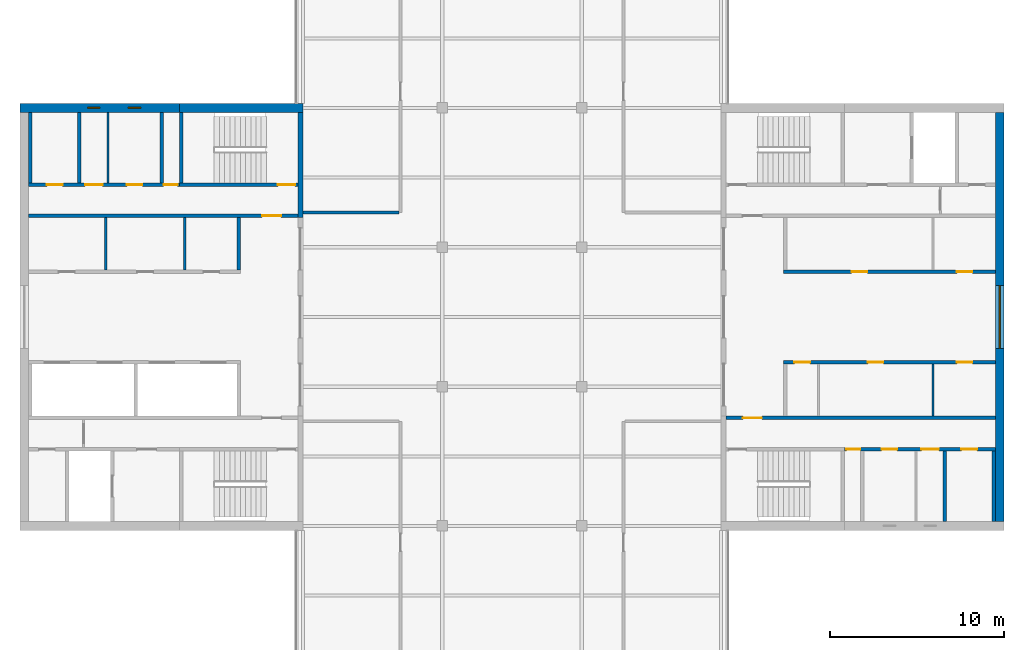
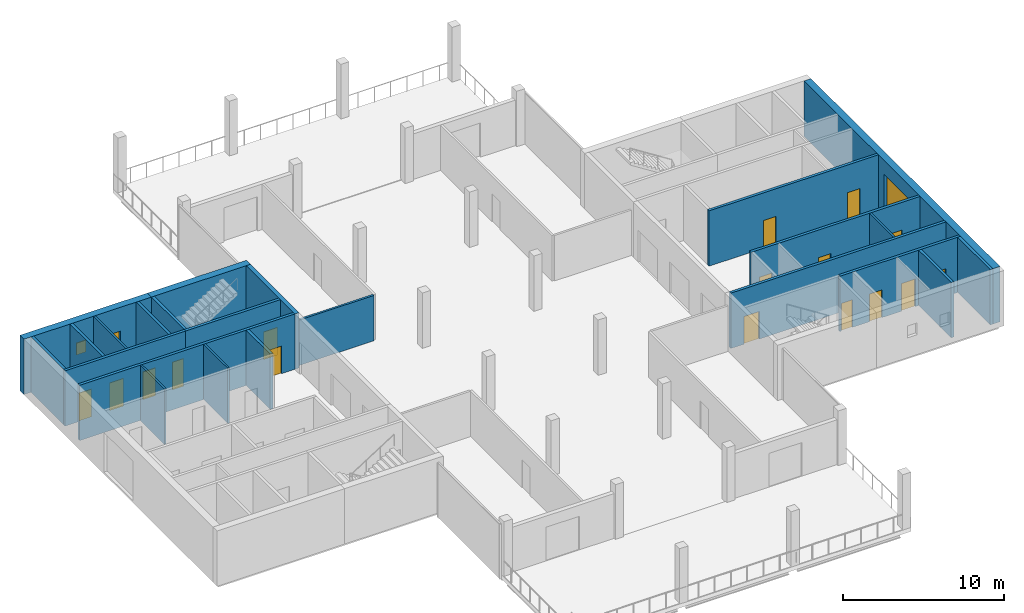
# One storey, part 9 of 12: 23 walls, 16 doors, 3 windows, 19 openings.
"""IFC4 building model written with IfcOpenShell, lengths in metres."""

import ifcopenshell
import ifcopenshell.guid

model = None  # the IFC model being written
_history = None  # IfcOwnerHistory: only IFC2X3 demands one
_inside = {}  # id of a spatial element -> (the spatial element, [elements in it])
_under = {}  # id of a project, library or spatial element -> (it, [spatial elements below it])
_declared = {}  # id of a project -> (the project, [libraries it declares])
_typed = {}  # id of a type object -> (the type object, [elements of that type])
_made_of = {}  # id of a material, layer set ... -> (it, [elements and type objects made of it])


def new_model(schema):
    """Start an empty IFC model of exactly this schema.

    Asked for "IFC4X3", IfcOpenShell would pick the latest addendum, in which some entities
    have other attributes; the version numbers below select the first issue.
    IFC2X3 requires an IfcOwnerHistory on every rooted entity: one is made here for all.
    """
    global model, _history
    if schema == "IFC4X3":
        model = ifcopenshell.file(schema_version=(4, 3, 0, 0))
    else:
        model = ifcopenshell.file(schema=schema)
    _inside.clear()
    _under.clear()
    _declared.clear()
    _typed.clear()
    _made_of.clear()
    _history = None
    if model.schema == "IFC2X3":
        org = make("IfcOrganization", Name="unknown")
        user = make(
            "IfcPersonAndOrganization",
            ThePerson=make("IfcPerson", FamilyName="unknown"),
            TheOrganization=org,
        )
        app = make(
            "IfcApplication",
            ApplicationDeveloper=org,
            Version="unknown",
            ApplicationFullName="unknown",
            ApplicationIdentifier="unknown",
        )
        _history = make(
            "IfcOwnerHistory",
            OwningUser=user,
            OwningApplication=app,
            ChangeAction="ADDED",
            CreationDate=0,
        )
    return model


def make(cls, **values):
    """One entity of the class cls with the attributes given. An attribute that is None is left unset."""
    return model.create_entity(
        cls, **{name: value for name, value in values.items() if value is not None}
    )


def rooted(cls, **values):
    """An entity with a GlobalId (a new one), such as an element, a storey or a relation."""
    return make(cls, GlobalId=ifcopenshell.guid.new(), OwnerHistory=_history, **values)


def si_unit(unit_type, name, prefix=None):
    """IfcSIUnit, for example si_unit("LENGTHUNIT", "METRE", prefix="MILLI")."""
    return make("IfcSIUnit", UnitType=unit_type, Prefix=prefix, Name=name)


def assignment(units):
    """IfcUnitAssignment: the units of a project."""
    return None if units is None else make("IfcUnitAssignment", Units=units)


def point(xyz):
    """IfcCartesianPoint."""
    return None if xyz is None else make("IfcCartesianPoint", Coordinates=xyz)


def direction(xyz):
    """IfcDirection."""
    return None if xyz is None else make("IfcDirection", DirectionRatios=xyz)


def frame(location, z_axis=None, x_axis=None):
    """IfcAxis2Placement3D, a coordinate frame: its origin and axes. An axis left out is left unset."""
    return make(
        "IfcAxis2Placement3D",
        Location=point(location),
        Axis=direction(z_axis),
        RefDirection=direction(x_axis),
    )


def frame_2d(location, x_axis=None):
    """IfcAxis2Placement2D, a coordinate frame in the plane: its origin and x axis."""
    return make(
        "IfcAxis2Placement2D", Location=point(location), RefDirection=direction(x_axis)
    )


def origin():
    """The frame at (0, 0, 0) with its axes left unset."""
    return frame((0.0, 0.0, 0.0))


def place(relative_to, where):
    """IfcLocalPlacement: puts the frame where relative to a parent placement (None: the world)."""
    return make(
        "IfcLocalPlacement", PlacementRelTo=relative_to, RelativePlacement=where
    )


def context(
    kind, dimensions, precision=None, world=None, true_north=None, identifier=None
):
    """IfcGeometricRepresentationContext, for example the 3D "Model" context."""
    return make(
        "IfcGeometricRepresentationContext",
        ContextIdentifier=identifier,
        ContextType=kind,
        CoordinateSpaceDimension=dimensions,
        Precision=precision,
        WorldCoordinateSystem=world,
        TrueNorth=true_north,
    )


def subcontext(parent, identifier, kind, view, scale=None):
    """IfcGeometricRepresentationSubContext, for example "Body" below "Model"."""
    return make(
        "IfcGeometricRepresentationSubContext",
        ContextIdentifier=identifier,
        ContextType=kind,
        ParentContext=parent,
        TargetScale=scale,
        TargetView=view,
    )


def project(units=None, contexts=None):
    """IfcProject with its units and contexts."""
    return rooted(
        "IfcProject",
        Name="project",
        RepresentationContexts=contexts,
        UnitsInContext=assignment(units),
    )


def spatial(cls, under=None, at=None, **own):
    """A site, building, storey or space (cls), placed at a placement, below another one or the project."""
    s = rooted(cls, ObjectPlacement=at, **own)
    if under is not None:
        _under.setdefault(under.id(), (under, []))[1].append(s)
    return s


def profile(cls, at=None, kind="AREA", **sizes):
    """A parametric profile (cls). Its sizes go by their IFC names, for example OverallWidth=200.0."""
    return make(cls, ProfileType=kind, Position=at, **sizes)


def rectangle(**sizes):
    """IfcRectangleProfileDef."""
    return profile("IfcRectangleProfileDef", **sizes)


def extrude(swept, where, along, depth):
    """IfcExtrudedAreaSolid: the profile swept, set in the frame where, extruded along a direction by depth."""
    return make(
        "IfcExtrudedAreaSolid",
        SweptArea=swept,
        Position=where,
        ExtrudedDirection=direction(along),
        Depth=depth,
    )


def shape(context_of_items, identifier, shape_type, items):
    """IfcShapeRepresentation: the items that make up one representation, for example the "Body"."""
    return make(
        "IfcShapeRepresentation",
        ContextOfItems=context_of_items,
        RepresentationIdentifier=identifier,
        RepresentationType=shape_type,
        Items=items,
    )


def material(Name=None, Category=None):
    """IfcMaterial."""
    return make("IfcMaterial", Name=Name, Category=Category)


def layer(
    of_material, thickness, ventilated=None, Name=None, Category=None, Priority=None
):
    """IfcMaterialLayer: one layer of a wall or slab, of a material (None: an air gap)."""
    return make(
        "IfcMaterialLayer",
        Material=of_material,
        LayerThickness=thickness,
        IsVentilated=ventilated,
        Name=Name,
        Category=Category,
        Priority=Priority,
    )


def layer_set(layers, Name=None):
    """IfcMaterialLayerSet."""
    return make("IfcMaterialLayerSet", MaterialLayers=layers, LayerSetName=Name)


def constituent(of_material, Name=None, Category=None, fraction=None):
    """IfcMaterialConstituent: one of the materials an element consists of."""
    return make(
        "IfcMaterialConstituent",
        Name=Name,
        Material=of_material,
        Fraction=fraction,
        Category=Category,
    )


def constituent_set(constituents=None, Name=None):
    """IfcMaterialConstituentSet."""
    return make(
        "IfcMaterialConstituentSet", Name=Name, MaterialConstituents=constituents
    )


def made_of(thing, what):
    """Note that an element or type object is made of a material, layer set ...; save() writes the relation."""
    if what is not None:
        _made_of.setdefault(what.id(), (what, []))[1].append(thing)
    return thing


def type_object(cls, material=None, **own):
    """A type object (cls), such as IfcWallType, which elements share."""
    return made_of(rooted(cls, **own), material)


def element(
    cls,
    number,
    at=None,
    inside=None,
    cuts=None,
    type_object=None,
    material=None,
    context=None,
    identifier="Body",
    shape_type=None,
    held_by="IfcProductDefinitionShape",
    body=None,
    shapes=None,
    **own,
):
    """One element of the class cls, such as IfcWall. Its Tag is "e" and its number.

    at: its placement. inside: the storey or other place that contains it. cuts: it is an
    opening in that element (IfcRelVoidsElement). A single representation is given by context,
    identifier, shape_type and body (its items); several are given by shapes. held_by: the class
    of the entity that holds the representations. save() writes the other relations.
    """
    e = rooted(cls, Tag="e%d" % number, ObjectPlacement=at, **own)
    if body is not None:
        shapes = [shape(context, identifier, shape_type, body)]
    if shapes is not None:
        e.Representation = make(held_by, Representations=shapes)
    if inside is not None:
        _inside.setdefault(inside.id(), (inside, []))[1].append(e)
    if cuts is not None:
        rooted(
            "IfcRelVoidsElement", RelatingBuildingElement=cuts, RelatedOpeningElement=e
        )
    if type_object is not None:
        _typed.setdefault(type_object.id(), (type_object, []))[1].append(e)
    return made_of(e, material)


def fill(opening, filler):
    """IfcRelFillsElement: the door or window that sits in an opening."""
    return rooted(
        "IfcRelFillsElement",
        RelatingOpeningElement=opening,
        RelatedBuildingElement=filler,
    )


def aggregate(whole, parts):
    """IfcRelAggregates: a whole, such as a stair, and the parts it consists of."""
    return rooted("IfcRelAggregates", RelatingObject=whole, RelatedObjects=parts)


def save(model, path):
    """Write the relations noted so far, then the file.

    IfcRelAggregates (storeys below a building ...), IfcRelContainedInSpatialStructure (elements
    in a storey), IfcRelDefinesByType, IfcRelAssociatesMaterial and IfcRelDeclares: one each for
    every whole, place, type object, material and project.
    """
    for whole, parts in _under.values():
        aggregate(whole, parts)
    for where, things in _inside.values():
        rooted(
            "IfcRelContainedInSpatialStructure",
            RelatedElements=things,
            RelatingStructure=where,
        )
    for kind, things in _typed.values():
        rooted("IfcRelDefinesByType", RelatedObjects=things, RelatingType=kind)
    for what, things in _made_of.values():
        rooted("IfcRelAssociatesMaterial", RelatedObjects=things, RelatingMaterial=what)
    for by, libraries in _declared.values():
        rooted("IfcRelDeclares", RelatingContext=by, RelatedDefinitions=libraries)
    model.write(path)


model = new_model("IFC4")

# Units and contexts
model_context = context("Model", 3, precision=1e-05, world=origin(), true_north=direction((0.0, 1.0)))
body_context = subcontext(model_context, "Body", "Model", "MODEL_VIEW")
ifc_project = project(units=[si_unit("LENGTHUNIT", "METRE"), si_unit("AREAUNIT", "SQUARE_METRE"), si_unit("VOLUMEUNIT", "CUBIC_METRE"), si_unit("PLANEANGLEUNIT", "RADIAN"), si_unit("MASSUNIT", "GRAM", prefix="KILO")], contexts=[model_context])

# Site, building, storey
site_placement = place(None, origin())
site = spatial("IfcSite", under=ifc_project, at=site_placement, CompositionType="ELEMENT")
building_placement = place(site_placement, origin())
building = spatial("IfcBuilding", under=site, at=building_placement, Name="Crosswind Convention Tower", CompositionType="ELEMENT")
storey_placement = place(building_placement, frame((0.0, 0.0, 323.89990234375)))
storey = spatial("IfcBuildingStorey", under=building, at=storey_placement, Name="L70", CompositionType="ELEMENT", Elevation=323.89990234375)

# Walls
ifc_material_1 = material(Name="Concrete blockwork", Category="masonry")
ifc_layer_1 = layer(ifc_material_1, 0.199951171875)
ifc_layer_set_1 = layer_set([ifc_layer_1], Name="Blockwork partition wall 200")
wall_type_1 = type_object("IfcWallType", Name="Blockwork partition wall 200", PredefinedType="PARTITIONING", material=ifc_layer_set_1)
wall_1_placement = place(storey_placement, frame((104.89990234375, 111.75, 0.0), z_axis=(0.0, 0.0, 1.0), x_axis=(0.0, -1.0, 0.0)))
element("IfcWall", 1, at=wall_1_placement, inside=storey, type_object=wall_type_1, Name="Wall MRSE W L70", PredefinedType="PARTITIONING", context=body_context, shape_type="SweptSolid", body=[
    extrude(rectangle(XDim=4.050048828125, YDim=0.199951171875, at=frame_2d((2.02490234375, 0.0))), origin(), (0.0, 0.0, 1.0), 4.2001953125),
])
ifc_material_2 = material(Name="Concrete C50/60", Category="concrete")
ifc_layer_2 = layer(ifc_material_2, 0.300048828125)
ifc_layer_set_2 = layer_set([ifc_layer_2], Name="Concrete C50/60")
wall_type_2 = type_object("IfcWallType", Name="Concrete inner core wall 300", PredefinedType="SHEAR", material=ifc_layer_set_2)
wall_2_placement = place(storey_placement, frame((112.85009765625, 111.75, 0.0), z_axis=(0.0, 0.0, 1.0), x_axis=(0.0, -1.0, 0.0)))
element("IfcWall", 2, at=wall_2_placement, inside=storey, type_object=wall_type_2, Name="Wall EM W L70", PredefinedType="SHEAR", context=body_context, shape_type="SweptSolid", body=[
    extrude(rectangle(XDim=6.050048828125, YDim=0.300048828125, at=frame_2d((3.02490234375, 0.0))), origin(), (0.0, 0.0, 1.0), 4.2001953125),
])

# Wall, openings, doors
ifc_layer_3 = layer(ifc_material_2, 0.199951171875)
ifc_layer_set_3 = layer_set([ifc_layer_3], Name="Concrete C50/60")
wall_type_3 = type_object("IfcWallType", Name="Concrete shaft and stair wall 200", PredefinedType="SHEAR", material=ifc_layer_set_3)
wall_3_placement = place(storey_placement, frame((140.60009765625, 102.60009765625, 0.0), z_axis=(0.0, 0.0, 1.0), x_axis=(1.0, 0.0, 0.0)))
wall_3 = element("IfcWall", 3, at=wall_3_placement, inside=storey, type_object=wall_type_3, Name="Wall RPFRONT E L70", PredefinedType="SHEAR", context=body_context, shape_type="SweptSolid", body=[
    extrude(rectangle(XDim=12.14990234375, YDim=0.199951171875, at=frame_2d((6.074951171875, 0.0))), origin(), (0.0, 0.0, 1.0), 4.2001953125),
])
opening_1_placement = place(wall_3_placement, frame((3.9013671875, 0.0, 0.0)))
opening_1 = element("IfcOpeningElement", 4, at=opening_1_placement, cuts=wall_3, Name="Opening D106", PredefinedType="OPENING", context=body_context, shape_type="SweptSolid", body=[
    extrude(rectangle(XDim=0.89990234375, YDim=2.10009765625, at=frame_2d((0.449951171875, 1.050048828125))), frame((0.0, 0.10986328125, 0.0), z_axis=(0.0, -1.0, 0.0), x_axis=(1.0, 0.0, 0.0)), (0.0, 0.0, 1.0), 0.219970703125),
])
opening_2_placement = place(wall_3_placement, frame((9.938720703125, 0.0, 0.0)))
opening_2 = element("IfcOpeningElement", 5, at=opening_2_placement, cuts=wall_3, Name="Opening D106", PredefinedType="OPENING", context=body_context, shape_type="SweptSolid", body=[
    extrude(rectangle(XDim=0.89990234375, YDim=2.10009765625, at=frame_2d((0.449951171875, 1.050048828125))), frame((0.0, 0.10986328125, 0.0), z_axis=(0.0, -1.0, 0.0), x_axis=(1.0, 0.0, 0.0)), (0.0, 0.0, 1.0), 0.219970703125),
])
ifc_material_3 = material(Name="Timber door", Category="wood")
door_type_1 = type_object("IfcDoorType", Name="Single leaf door 900x2100", OperationType="NOTDEFINED", PredefinedType="DOOR", material=ifc_material_3)
door_1_placement = place(opening_1_placement, origin())
door_1 = element("IfcDoor", 6, at=door_1_placement, inside=storey, type_object=door_type_1, Name="Door to telecoms room L70", ObjectType="D106", OperationType="SINGLE_SWING_RIGHT", OverallHeight=2.10009765625, OverallWidth=0.89990234375, PredefinedType="DOOR", context=body_context, shape_type="SweptSolid", body=[
    extrude(rectangle(XDim=0.89990234375, YDim=2.10009765625, at=frame_2d((0.449951171875, 1.050048828125))), frame((0.0, 0.02490234375, 0.0), z_axis=(0.0, -1.0, 0.0), x_axis=(1.0, 0.0, 0.0)), (0.0, 0.0, 1.0), 0.050048828125),
])
fill(opening_1, door_1)
door_2_placement = place(opening_2_placement, origin())
door_2 = element("IfcDoor", 7, at=door_2_placement, inside=storey, type_object=door_type_1, Name="Door to storeroom L70", ObjectType="D106", OperationType="SINGLE_SWING_RIGHT", OverallHeight=2.10009765625, OverallWidth=0.89990234375, PredefinedType="DOOR", context=body_context, shape_type="SweptSolid", body=[
    extrude(rectangle(XDim=0.89990234375, YDim=2.10009765625, at=frame_2d((0.449951171875, 1.050048828125))), frame((0.0, 0.02490234375, 0.0), z_axis=(0.0, -1.0, 0.0), x_axis=(1.0, 0.0, 0.0)), (0.0, 0.0, 1.0), 0.050048828125),
])
fill(opening_2, door_2)

wall_4_placement = place(storey_placement, frame((140.60009765625, 97.39990234375, 0.0), z_axis=(0.0, 0.0, 1.0), x_axis=(1.0, 0.0, 0.0)))
wall_4 = element("IfcWall", 8, at=wall_4_placement, inside=storey, type_object=wall_type_3, Name="Wall RMFRONT E L70", PredefinedType="SHEAR", context=body_context, shape_type="SweptSolid", body=[
    extrude(rectangle(XDim=12.14990234375, YDim=0.199951171875, at=frame_2d((6.074951171875, 0.0))), origin(), (0.0, 0.0, 1.0), 4.2001953125),
])
opening_3_placement = place(wall_4_placement, frame((0.614990234375, 0.0, 0.0)))
opening_3 = element("IfcOpeningElement", 9, at=opening_3_placement, cuts=wall_4, Name="Opening D106", PredefinedType="OPENING", context=body_context, shape_type="SweptSolid", body=[
    extrude(rectangle(XDim=0.89990234375, YDim=2.10009765625, at=frame_2d((0.449951171875, 1.050048828125))), frame((0.0, 0.10986328125, 0.0), z_axis=(0.0, -1.0, 0.0), x_axis=(1.0, 0.0, 0.0)), (0.0, 0.0, 1.0), 0.219970703125),
])
opening_4_placement = place(wall_4_placement, frame((4.828857421875, 0.0, 0.0)))
opening_4 = element("IfcOpeningElement", 10, at=opening_4_placement, cuts=wall_4, Name="Opening D106", PredefinedType="OPENING", context=body_context, shape_type="SweptSolid", body=[
    extrude(rectangle(XDim=0.89990234375, YDim=2.10009765625, at=frame_2d((0.449951171875, 1.050048828125))), frame((0.0, 0.10986328125, 0.0), z_axis=(0.0, -1.0, 0.0), x_axis=(1.0, 0.0, 0.0)), (0.0, 0.0, 1.0), 0.219970703125),
])
opening_5_placement = place(wall_4_placement, frame((9.938720703125, 0.0, 0.0)))
opening_5 = element("IfcOpeningElement", 11, at=opening_5_placement, cuts=wall_4, Name="Opening D106", PredefinedType="OPENING", context=body_context, shape_type="SweptSolid", body=[
    extrude(rectangle(XDim=0.89990234375, YDim=2.10009765625, at=frame_2d((0.449951171875, 1.050048828125))), frame((0.0, 0.10986328125, 0.0), z_axis=(0.0, -1.0, 0.0), x_axis=(1.0, 0.0, 0.0)), (0.0, 0.0, 1.0), 0.219970703125),
])
door_3_placement = place(opening_3_placement, frame((0.89990234375, 0.0, 0.0), z_axis=(0.0, 0.0, 1.0), x_axis=(-1.0, 0.0, 0.0)))
door_3 = element("IfcDoor", 12, at=door_3_placement, inside=storey, type_object=door_type_1, Name="Door to storeroom L70", ObjectType="D106", OperationType="SINGLE_SWING_LEFT", OverallHeight=2.10009765625, OverallWidth=0.89990234375, PredefinedType="DOOR", context=body_context, shape_type="SweptSolid", body=[
    extrude(rectangle(XDim=0.89990234375, YDim=2.10009765625, at=frame_2d((0.449951171875, 1.050048828125))), frame((0.0, 0.02490234375, 0.0), z_axis=(0.0, -1.0, 0.0), x_axis=(1.0, 0.0, 0.0)), (0.0, 0.0, 1.0), 0.050048828125),
])
fill(opening_3, door_3)
door_4_placement = place(opening_4_placement, frame((0.89990234375, 0.0, 0.0), z_axis=(0.0, 0.0, 1.0), x_axis=(-1.0, 0.0, 0.0)))
door_4 = element("IfcDoor", 13, at=door_4_placement, inside=storey, type_object=door_type_1, Name="Door to tenant services room L70", ObjectType="D106", OperationType="SINGLE_SWING_LEFT", OverallHeight=2.10009765625, OverallWidth=0.89990234375, PredefinedType="DOOR", context=body_context, shape_type="SweptSolid", body=[
    extrude(rectangle(XDim=0.89990234375, YDim=2.10009765625, at=frame_2d((0.449951171875, 1.050048828125))), frame((0.0, 0.02490234375, 0.0), z_axis=(0.0, -1.0, 0.0), x_axis=(1.0, 0.0, 0.0)), (0.0, 0.0, 1.0), 0.050048828125),
])
fill(opening_4, door_4)
door_5_placement = place(opening_5_placement, frame((0.89990234375, 0.0, 0.0), z_axis=(0.0, 0.0, 1.0), x_axis=(-1.0, 0.0, 0.0)))
door_5 = element("IfcDoor", 14, at=door_5_placement, inside=storey, type_object=door_type_1, Name="Door to copy and print room L70", ObjectType="D106", OperationType="SINGLE_SWING_LEFT", OverallHeight=2.10009765625, OverallWidth=0.89990234375, PredefinedType="DOOR", context=body_context, shape_type="SweptSolid", body=[
    extrude(rectangle(XDim=0.89990234375, YDim=2.10009765625, at=frame_2d((0.449951171875, 1.050048828125))), frame((0.0, 0.02490234375, 0.0), z_axis=(0.0, -1.0, 0.0), x_axis=(1.0, 0.0, 0.0)), (0.0, 0.0, 1.0), 0.050048828125),
])
fill(opening_5, door_5)

# Wall, opening, door
wall_5_placement = place(storey_placement, frame((137.300048828125, 94.199951171875, 0.0), z_axis=(0.0, 0.0, 1.0), x_axis=(1.0, 0.0, 0.0)))
wall_5 = element("IfcWall", 15, at=wall_5_placement, inside=storey, type_object=wall_type_3, Name="Wall HM E L70", PredefinedType="SHEAR", context=body_context, shape_type="SweptSolid", body=[
    extrude(rectangle(XDim=15.449951171875, YDim=0.199951171875, at=frame_2d((7.72509765625, 0.0))), origin(), (0.0, 0.0, 1.0), 4.2001953125),
])
opening_6_placement = place(wall_5_placement, frame((0.949951171875, 0.0, 0.0)))
opening_6 = element("IfcOpeningElement", 16, at=opening_6_placement, cuts=wall_5, Name="Opening D104", PredefinedType="OPENING", context=body_context, shape_type="SweptSolid", body=[
    extrude(rectangle(XDim=1.10009765625, YDim=2.10009765625, at=frame_2d((0.550048828125, 1.050048828125))), frame((0.0, 0.10986328125, 0.0), z_axis=(0.0, -1.0, 0.0), x_axis=(1.0, 0.0, 0.0)), (0.0, 0.0, 1.0), 0.219970703125),
])
ifc_material_4 = material(Name="Steel fire door", Category="steel")
door_type_2 = type_object("IfcDoorType", Name="Fire-rated single door 1100x2100", OperationType="NOTDEFINED", PredefinedType="DOOR", material=ifc_material_4)
door_6_placement = place(opening_6_placement, origin())
door_6 = element("IfcDoor", 17, at=door_6_placement, inside=storey, type_object=door_type_2, Name="Corridor door L70", ObjectType="D104", OperationType="SINGLE_SWING_LEFT", OverallHeight=2.10009765625, OverallWidth=1.10009765625, PredefinedType="DOOR", context=body_context, shape_type="SweptSolid", body=[
    extrude(rectangle(XDim=1.10009765625, YDim=2.10009765625, at=frame_2d((0.550048828125, 1.050048828125))), frame((0.0, 0.02490234375, 0.0), z_axis=(0.0, -1.0, 0.0), x_axis=(1.0, 0.0, 0.0)), (0.0, 0.0, 1.0), 0.050048828125),
])
fill(opening_6, door_6)

# Walls
for number, where, z_axis, x_axis, name in (
    (18, (149.85009765625, 88.25, 0.0), (0.0, 0.0, 1.0), (0.0, 1.0, 0.0), "Wall MFSW E L70"),
    (19, (152.64990234375, 88.25, 0.0), (0.0, 0.0, 1.0), (0.0, 1.0, 0.0), "Wall MFSE E L70"),
):
    element("IfcWall", number, at=place(storey_placement, frame(where, z_axis=z_axis, x_axis=x_axis)), inside=storey, type_object=wall_type_3, Name=name, PredefinedType="SHEAR", context=body_context, shape_type="SweptSolid", body=[
        extrude(rectangle(XDim=4.050048828125, YDim=0.199951171875, at=frame_2d((2.02490234375, 0.0))), origin(), (0.0, 0.0, 1.0), 4.2001953125),
    ])

# Wall, openings, doors
wall_6_placement = place(storey_placement, frame((144.10009765625, 92.39990234375, 0.0), z_axis=(0.0, 0.0, 1.0), x_axis=(1.0, 0.0, 0.0)))
wall_6 = element("IfcWall", 20, at=wall_6_placement, inside=storey, type_object=wall_type_3, Name="Wall MCX E L70", PredefinedType="SHEAR", context=body_context, shape_type="SweptSolid", body=[
    extrude(rectangle(XDim=8.64990234375, YDim=0.199951171875, at=frame_2d((4.324951171875, 0.0))), origin(), (0.0, 0.0, 1.0), 4.2001953125),
])
opening_7_placement = place(wall_6_placement, frame((0.10009765625, 0.0, 0.0)))
opening_7 = element("IfcOpeningElement", 21, at=opening_7_placement, cuts=wall_6, Name="Opening D105", PredefinedType="OPENING", context=body_context, shape_type="SweptSolid", body=[
    extrude(rectangle(XDim=0.800048828125, YDim=2.10009765625, at=frame_2d((0.39990234375, 1.050048828125))), frame((0.0, 0.10986328125, 0.0), z_axis=(0.0, -1.0, 0.0), x_axis=(1.0, 0.0, 0.0)), (0.0, 0.0, 1.0), 0.219970703125),
])
opening_8_placement = place(wall_6_placement, frame((2.120361328125, 0.0, 0.0)))
opening_8 = element("IfcOpeningElement", 22, at=opening_8_placement, cuts=wall_6, Name="Opening D106", PredefinedType="OPENING", context=body_context, shape_type="SweptSolid", body=[
    extrude(rectangle(XDim=0.89990234375, YDim=2.10009765625, at=frame_2d((0.449951171875, 1.050048828125))), frame((0.0, 0.10986328125, 0.0), z_axis=(0.0, -1.0, 0.0), x_axis=(1.0, 0.0, 0.0)), (0.0, 0.0, 1.0), 0.219970703125),
])
opening_9_placement = place(wall_6_placement, frame((4.40771484375, 0.0, 0.0)))
opening_9 = element("IfcOpeningElement", 23, at=opening_9_placement, cuts=wall_6, Name="Opening D103", PredefinedType="OPENING", context=body_context, shape_type="SweptSolid", body=[
    extrude(rectangle(XDim=1.0, YDim=2.10009765625, at=frame_2d((0.5, 1.050048828125))), frame((0.0, 0.10986328125, 0.0), z_axis=(0.0, -1.0, 0.0), x_axis=(1.0, 0.0, 0.0)), (0.0, 0.0, 1.0), 0.219970703125),
])
opening_10_placement = place(wall_6_placement, frame((6.699951171875, 0.0, 0.0)))
opening_10 = element("IfcOpeningElement", 24, at=opening_10_placement, cuts=wall_6, Name="Opening D106", PredefinedType="OPENING", context=body_context, shape_type="SweptSolid", body=[
    extrude(rectangle(XDim=0.89990234375, YDim=2.10009765625, at=frame_2d((0.449951171875, 1.050048828125))), frame((0.0, 0.10986328125, 0.0), z_axis=(0.0, -1.0, 0.0), x_axis=(1.0, 0.0, 0.0)), (0.0, 0.0, 1.0), 0.219970703125),
])
door_type_3 = type_object("IfcDoorType", Name="Fire-rated single door 1000x2100", OperationType="NOTDEFINED", PredefinedType="DOOR", material=ifc_material_4)
door_7_placement = place(opening_9_placement, frame((1.0, 0.0, 0.0), z_axis=(0.0, 0.0, 1.0), x_axis=(-1.0, 0.0, 0.0)))
door_7 = element("IfcDoor", 25, at=door_7_placement, inside=storey, type_object=door_type_3, Name="Door to accessible wc L70", ObjectType="D103", OperationType="SINGLE_SWING_LEFT", OverallHeight=2.10009765625, OverallWidth=1.0, PredefinedType="DOOR", context=body_context, shape_type="SweptSolid", body=[
    extrude(rectangle(XDim=1.0, YDim=2.10009765625, at=frame_2d((0.5, 1.050048828125))), frame((0.0, 0.02490234375, 0.0), z_axis=(0.0, -1.0, 0.0), x_axis=(1.0, 0.0, 0.0)), (0.0, 0.0, 1.0), 0.050048828125),
])
fill(opening_9, door_7)
door_type_4 = type_object("IfcDoorType", Name="Riser access door 800x2100", OperationType="NOTDEFINED", PredefinedType="DOOR", material=ifc_material_4)
door_8_placement = place(opening_7_placement, frame((0.800048828125, 0.0, 0.0), z_axis=(0.0, 0.0, 1.0), x_axis=(-1.0, 0.0, 0.0)))
door_8 = element("IfcDoor", 26, at=door_8_placement, inside=storey, type_object=door_type_4, Name="Riser door L70", ObjectType="D105", OperationType="SINGLE_SWING_LEFT", OverallHeight=2.10009765625, OverallWidth=0.800048828125, PredefinedType="DOOR", context=body_context, shape_type="SweptSolid", body=[
    extrude(rectangle(XDim=0.800048828125, YDim=2.10009765625, at=frame_2d((0.39990234375, 1.050048828125))), frame((0.0, 0.02490234375, 0.0), z_axis=(0.0, -1.0, 0.0), x_axis=(1.0, 0.0, 0.0)), (0.0, 0.0, 1.0), 0.050048828125),
])
fill(opening_7, door_8)
door_9_placement = place(opening_8_placement, frame((0.89990234375, 0.0, 0.0), z_axis=(0.0, 0.0, 1.0), x_axis=(-1.0, 0.0, 0.0)))
door_9 = element("IfcDoor", 27, at=door_9_placement, inside=storey, type_object=door_type_1, Name="Door to wc L70", ObjectType="D106", OperationType="SINGLE_SWING_LEFT", OverallHeight=2.10009765625, OverallWidth=0.89990234375, PredefinedType="DOOR", context=body_context, shape_type="SweptSolid", body=[
    extrude(rectangle(XDim=0.89990234375, YDim=2.10009765625, at=frame_2d((0.449951171875, 1.050048828125))), frame((0.0, 0.02490234375, 0.0), z_axis=(0.0, -1.0, 0.0), x_axis=(1.0, 0.0, 0.0)), (0.0, 0.0, 1.0), 0.050048828125),
])
fill(opening_8, door_9)
door_10_placement = place(opening_10_placement, frame((0.89990234375, 0.0, 0.0), z_axis=(0.0, 0.0, 1.0), x_axis=(-1.0, 0.0, 0.0)))
door_10 = element("IfcDoor", 28, at=door_10_placement, inside=storey, type_object=door_type_1, Name="Door to accessible wc L70", ObjectType="D106", OperationType="SINGLE_SWING_LEFT", OverallHeight=2.10009765625, OverallWidth=0.89990234375, PredefinedType="DOOR", context=body_context, shape_type="SweptSolid", body=[
    extrude(rectangle(XDim=0.89990234375, YDim=2.10009765625, at=frame_2d((0.449951171875, 1.050048828125))), frame((0.0, 0.02490234375, 0.0), z_axis=(0.0, -1.0, 0.0), x_axis=(1.0, 0.0, 0.0)), (0.0, 0.0, 1.0), 0.050048828125),
])
fill(opening_10, door_10)

# Wall
wall_7_placement = place(storey_placement, frame((109.300048828125, 105.699951171875, 0.0), z_axis=(0.0, 0.0, 1.0), x_axis=(0.0, -1.0, 0.0)))
element("IfcWall", 29, at=wall_7_placement, inside=storey, type_object=wall_type_3, Name="Wall RMEND W L70", PredefinedType="SHEAR", context=body_context, shape_type="SweptSolid", body=[
    extrude(rectangle(XDim=3.0, YDim=0.199951171875, at=frame_2d((1.5, 0.0))), origin(), (0.0, 0.0, 1.0), 4.2001953125),
])

# Wall, opening, door
wall_8_placement = place(storey_placement, frame((112.699951171875, 105.800048828125, 0.0), z_axis=(0.0, 0.0, 1.0), x_axis=(-1.0, 0.0, 0.0)))
wall_8 = element("IfcWall", 30, at=wall_8_placement, inside=storey, type_object=wall_type_3, Name="Wall HM W L70", PredefinedType="SHEAR", context=body_context, shape_type="SweptSolid", body=[
    extrude(rectangle(XDim=15.449951171875, YDim=0.199951171875, at=frame_2d((7.72509765625, 0.0))), origin(), (0.0, 0.0, 1.0), 4.2001953125),
])
opening_11_placement = place(wall_8_placement, frame((0.949951171875, 0.0, 0.0)))
opening_11 = element("IfcOpeningElement", 31, at=opening_11_placement, cuts=wall_8, Name="Opening D104", PredefinedType="OPENING", context=body_context, shape_type="SweptSolid", body=[
    extrude(rectangle(XDim=1.10009765625, YDim=2.10009765625, at=frame_2d((0.550048828125, 1.050048828125))), frame((0.0, 0.10986328125, 0.0), z_axis=(0.0, -1.0, 0.0), x_axis=(1.0, 0.0, 0.0)), (0.0, 0.0, 1.0), 0.219970703125),
])
door_11_placement = place(opening_11_placement, origin())
door_11 = element("IfcDoor", 32, at=door_11_placement, inside=storey, type_object=door_type_2, Name="Corridor door L70", ObjectType="D104", OperationType="SINGLE_SWING_LEFT", OverallHeight=2.10009765625, OverallWidth=1.10009765625, PredefinedType="DOOR", context=body_context, shape_type="SweptSolid", body=[
    extrude(rectangle(XDim=1.10009765625, YDim=2.10009765625, at=frame_2d((0.550048828125, 1.050048828125))), frame((0.0, 0.02490234375, 0.0), z_axis=(0.0, -1.0, 0.0), x_axis=(1.0, 0.0, 0.0)), (0.0, 0.0, 1.0), 0.050048828125),
])
fill(opening_11, door_11)

# Walls
for number, where, z_axis, x_axis, name in (
    (33, (106.0, 111.75, 0.0), (0.0, 0.0, 1.0), (0.0, -1.0, 0.0), "Wall MSE W L70"),
    (34, (100.14990234375, 111.75, 0.0), (0.0, 0.0, 1.0), (0.0, -1.0, 0.0), "Wall MFSW W L70"),
    (35, (97.35009765625, 111.75, 0.0), (0.0, 0.0, 1.0), (0.0, -1.0, 0.0), "Wall MFSE W L70"),
):
    element("IfcWall", number, at=place(storey_placement, frame(where, z_axis=z_axis, x_axis=x_axis)), inside=storey, type_object=wall_type_3, Name=name, PredefinedType="SHEAR", context=body_context, shape_type="SweptSolid", body=[
        extrude(rectangle(XDim=4.050048828125, YDim=0.199951171875, at=frame_2d((2.02490234375, 0.0))), origin(), (0.0, 0.0, 1.0), 4.2001953125),
    ])

# Wall, opening, door
wall_9_placement = place(storey_placement, frame((112.699951171875, 107.60009765625, 0.0), z_axis=(0.0, 0.0, 1.0), x_axis=(-1.0, 0.0, 0.0)))
wall_9 = element("IfcWall", 36, at=wall_9_placement, inside=storey, type_object=wall_type_3, Name="Wall MCW W L70", PredefinedType="SHEAR", context=body_context, shape_type="SweptSolid", body=[
    extrude(rectangle(XDim=6.800048828125, YDim=0.199951171875, at=frame_2d((3.39990234375, 0.0))), origin(), (0.0, 0.0, 1.0), 4.2001953125),
])
opening_12_placement = place(wall_9_placement, frame((0.14990234375, 0.0, 0.0)))
opening_12 = element("IfcOpeningElement", 37, at=opening_12_placement, cuts=wall_9, Name="Opening D103", PredefinedType="OPENING", context=body_context, shape_type="SweptSolid", body=[
    extrude(rectangle(XDim=1.0, YDim=2.10009765625, at=frame_2d((0.5, 1.050048828125))), frame((0.0, 0.10986328125, 0.0), z_axis=(0.0, -1.0, 0.0), x_axis=(1.0, 0.0, 0.0)), (0.0, 0.0, 1.0), 0.219970703125),
])
door_12_placement = place(opening_12_placement, frame((1.0, 0.0, 0.0), z_axis=(0.0, 0.0, 1.0), x_axis=(-1.0, 0.0, 0.0)))
door_12 = element("IfcDoor", 38, at=door_12_placement, inside=storey, type_object=door_type_3, Name="Stair ST4 door L70", ObjectType="D103", OperationType="SINGLE_SWING_RIGHT", OverallHeight=2.10009765625, OverallWidth=1.0, PredefinedType="DOOR", context=body_context, shape_type="SweptSolid", body=[
    extrude(rectangle(XDim=1.0, YDim=2.10009765625, at=frame_2d((0.5, 1.050048828125))), frame((0.0, 0.02490234375, 0.0), z_axis=(0.0, -1.0, 0.0), x_axis=(1.0, 0.0, 0.0)), (0.0, 0.0, 1.0), 0.050048828125),
])
fill(opening_12, door_12)

# Wall, openings, doors
wall_10_placement = place(storey_placement, frame((105.89990234375, 107.60009765625, 0.0), z_axis=(0.0, 0.0, 1.0), x_axis=(-1.0, 0.0, 0.0)))
wall_10 = element("IfcWall", 39, at=wall_10_placement, inside=storey, type_object=wall_type_3, Name="Wall MCX W L70", PredefinedType="SHEAR", context=body_context, shape_type="SweptSolid", body=[
    extrude(rectangle(XDim=8.64990234375, YDim=0.199951171875, at=frame_2d((4.324951171875, 0.0))), origin(), (0.0, 0.0, 1.0), 4.2001953125),
])
opening_13_placement = place(wall_10_placement, frame((0.10009765625, 0.0, 0.0)))
opening_13 = element("IfcOpeningElement", 40, at=opening_13_placement, cuts=wall_10, Name="Opening D105", PredefinedType="OPENING", context=body_context, shape_type="SweptSolid", body=[
    extrude(rectangle(XDim=0.800048828125, YDim=2.10009765625, at=frame_2d((0.39990234375, 1.050048828125))), frame((0.0, 0.10986328125, 0.0), z_axis=(0.0, -1.0, 0.0), x_axis=(1.0, 0.0, 0.0)), (0.0, 0.0, 1.0), 0.219970703125),
])
opening_14_placement = place(wall_10_placement, frame((2.120361328125, 0.0, 0.0)))
opening_14 = element("IfcOpeningElement", 41, at=opening_14_placement, cuts=wall_10, Name="Opening D106", PredefinedType="OPENING", context=body_context, shape_type="SweptSolid", body=[
    extrude(rectangle(XDim=0.89990234375, YDim=2.10009765625, at=frame_2d((0.449951171875, 1.050048828125))), frame((0.0, 0.10986328125, 0.0), z_axis=(0.0, -1.0, 0.0), x_axis=(1.0, 0.0, 0.0)), (0.0, 0.0, 1.0), 0.219970703125),
])
opening_15_placement = place(wall_10_placement, frame((4.40771484375, 0.0, 0.0)))
opening_15 = element("IfcOpeningElement", 42, at=opening_15_placement, cuts=wall_10, Name="Opening D103", PredefinedType="OPENING", context=body_context, shape_type="SweptSolid", body=[
    extrude(rectangle(XDim=1.0, YDim=2.10009765625, at=frame_2d((0.5, 1.050048828125))), frame((0.0, 0.10986328125, 0.0), z_axis=(0.0, -1.0, 0.0), x_axis=(1.0, 0.0, 0.0)), (0.0, 0.0, 1.0), 0.219970703125),
])
opening_16_placement = place(wall_10_placement, frame((6.699951171875, 0.0, 0.0)))
opening_16 = element("IfcOpeningElement", 43, at=opening_16_placement, cuts=wall_10, Name="Opening D106", PredefinedType="OPENING", context=body_context, shape_type="SweptSolid", body=[
    extrude(rectangle(XDim=0.89990234375, YDim=2.10009765625, at=frame_2d((0.449951171875, 1.050048828125))), frame((0.0, 0.10986328125, 0.0), z_axis=(0.0, -1.0, 0.0), x_axis=(1.0, 0.0, 0.0)), (0.0, 0.0, 1.0), 0.219970703125),
])
door_13_placement = place(opening_15_placement, frame((1.0, 0.0, 0.0), z_axis=(0.0, 0.0, 1.0), x_axis=(-1.0, 0.0, 0.0)))
door_13 = element("IfcDoor", 44, at=door_13_placement, inside=storey, type_object=door_type_3, Name="Door to accessible wc L70", ObjectType="D103", OperationType="SINGLE_SWING_LEFT", OverallHeight=2.10009765625, OverallWidth=1.0, PredefinedType="DOOR", context=body_context, shape_type="SweptSolid", body=[
    extrude(rectangle(XDim=1.0, YDim=2.10009765625, at=frame_2d((0.5, 1.050048828125))), frame((0.0, 0.02490234375, 0.0), z_axis=(0.0, -1.0, 0.0), x_axis=(1.0, 0.0, 0.0)), (0.0, 0.0, 1.0), 0.050048828125),
])
fill(opening_15, door_13)
door_14_placement = place(opening_13_placement, frame((0.800048828125, 0.0, 0.0), z_axis=(0.0, 0.0, 1.0), x_axis=(-1.0, 0.0, 0.0)))
door_14 = element("IfcDoor", 45, at=door_14_placement, inside=storey, type_object=door_type_4, Name="Riser door L70", ObjectType="D105", OperationType="SINGLE_SWING_LEFT", OverallHeight=2.10009765625, OverallWidth=0.800048828125, PredefinedType="DOOR", context=body_context, shape_type="SweptSolid", body=[
    extrude(rectangle(XDim=0.800048828125, YDim=2.10009765625, at=frame_2d((0.39990234375, 1.050048828125))), frame((0.0, 0.02490234375, 0.0), z_axis=(0.0, -1.0, 0.0), x_axis=(1.0, 0.0, 0.0)), (0.0, 0.0, 1.0), 0.050048828125),
])
fill(opening_13, door_14)
door_15_placement = place(opening_14_placement, frame((0.89990234375, 0.0, 0.0), z_axis=(0.0, 0.0, 1.0), x_axis=(-1.0, 0.0, 0.0)))
door_15 = element("IfcDoor", 46, at=door_15_placement, inside=storey, type_object=door_type_1, Name="Door to wc L70", ObjectType="D106", OperationType="SINGLE_SWING_LEFT", OverallHeight=2.10009765625, OverallWidth=0.89990234375, PredefinedType="DOOR", context=body_context, shape_type="SweptSolid", body=[
    extrude(rectangle(XDim=0.89990234375, YDim=2.10009765625, at=frame_2d((0.449951171875, 1.050048828125))), frame((0.0, 0.02490234375, 0.0), z_axis=(0.0, -1.0, 0.0), x_axis=(1.0, 0.0, 0.0)), (0.0, 0.0, 1.0), 0.050048828125),
])
fill(opening_14, door_15)
door_16_placement = place(opening_16_placement, frame((0.89990234375, 0.0, 0.0), z_axis=(0.0, 0.0, 1.0), x_axis=(-1.0, 0.0, 0.0)))
door_16 = element("IfcDoor", 47, at=door_16_placement, inside=storey, type_object=door_type_1, Name="Door to accessible wc L70", ObjectType="D106", OperationType="SINGLE_SWING_LEFT", OverallHeight=2.10009765625, OverallWidth=0.89990234375, PredefinedType="DOOR", context=body_context, shape_type="SweptSolid", body=[
    extrude(rectangle(XDim=0.89990234375, YDim=2.10009765625, at=frame_2d((0.449951171875, 1.050048828125))), frame((0.0, 0.02490234375, 0.0), z_axis=(0.0, -1.0, 0.0), x_axis=(1.0, 0.0, 0.0)), (0.0, 0.0, 1.0), 0.050048828125),
])
fill(opening_16, door_16)

# Walls
ifc_material_5 = material(Name="Gypsum plasterboard partition", Category="gypsum")
ifc_layer_4 = layer(ifc_material_5, 0.125)
ifc_layer_set_4 = layer_set([ifc_layer_4], Name="Drywall partition wall 125")
wall_type_4 = type_object("IfcWallType", Name="Drywall partition wall 125", PredefinedType="PARTITIONING", material=ifc_layer_set_4)
for number, where, z_axis, x_axis, name in (
    (48, (149.1650390625, 94.300048828125, 0.0), (0.0, 0.0, 1.0), (0.0, 1.0, 0.0), "Wall RMP2 E L70"),
    (49, (106.21240234375, 105.699951171875, 0.0), (0.0, 0.0, 1.0), (0.0, -1.0, 0.0), "Wall RMP1 W L70"),
    (50, (101.67138671875, 105.699951171875, 0.0), (0.0, 0.0, 1.0), (0.0, -1.0, 0.0), "Wall RMP2 W L70"),
):
    element("IfcWall", number, at=place(storey_placement, frame(where, z_axis=z_axis, x_axis=x_axis)), inside=storey, type_object=wall_type_4, Name=name, PredefinedType="PARTITIONING", context=body_context, shape_type="SweptSolid", body=[
        extrude(rectangle(XDim=3.0, YDim=0.125, at=frame_2d((1.5, 0.0))), origin(), (0.0, 0.0, 1.0), 4.2001953125),
    ])
wall_11_placement = place(storey_placement, frame((101.797119140625, 111.75, 0.0), z_axis=(0.0, 0.0, 1.0), x_axis=(0.0, -1.0, 0.0)))
element("IfcWall", 51, at=wall_11_placement, inside=storey, type_object=wall_type_4, Name="Wall MWP1 W L70", PredefinedType="PARTITIONING", context=body_context, shape_type="SweptSolid", body=[
    extrude(rectangle(XDim=4.050048828125, YDim=0.125, at=frame_2d((2.02490234375, 0.0))), origin(), (0.0, 0.0, 1.0), 4.2001953125),
])
ifc_material_6 = material(Name="Fire-board partition with mineral wool", Category="gypsum")
ifc_layer_5 = layer(ifc_material_6, 0.14990234375)
ifc_layer_set_5 = layer_set([ifc_layer_5], Name="TENANCY WALL 150 TWO-HOUR BOARD")
wall_type_5 = type_object("IfcWallType", Name="TENANCY WALL 150 TWO-HOUR BOARD", PredefinedType="PARTITIONING", material=ifc_layer_set_5)
wall_12_placement = place(storey_placement, frame((113.0, 106.0, 0.0), z_axis=(0.0, 0.0, 1.0), x_axis=(1.0, 0.0, 0.0)))
element("IfcWall", 52, at=wall_12_placement, inside=storey, type_object=wall_type_5, Name="Tenancy wall WT41", PredefinedType="PARTITIONING", context=body_context, shape_type="SweptSolid", body=[
    extrude(rectangle(XDim=5.52490234375, YDim=0.14990234375, at=frame_2d((2.762451171875, 0.0))), origin(), (0.0, 0.0, 1.0), 3.44287109375),
])

# Wall, opening, window
ifc_material_7 = material(Name="Concrete C60/75", Category="concrete")
ifc_constituent_1 = constituent(ifc_material_7, Name="Structure")
ifc_material_8 = material(Name="Terracotta rainscreen", Category="ceramic")
ifc_constituent_2 = constituent(ifc_material_8, Name="Facing")
ifc_constituent_set = constituent_set(constituents=[ifc_constituent_1, ifc_constituent_2], Name="Concrete C60/75, Terracotta rainscreen")
wall_type_6 = type_object("IfcWallType", Name="Terracotta rainscreen on concrete core wall 500", PredefinedType="SHEAR", material=ifc_constituent_set)
wall_13_placement = place(storey_placement, frame((153.0, 88.25, 0.0), z_axis=(0.0, 0.0, 1.0), x_axis=(0.0, 1.0, 0.0)))
wall_13 = element("IfcWall", 53, at=wall_13_placement, inside=storey, type_object=wall_type_6, Name="Wall O E L70", PredefinedType="SHEAR", context=body_context, shape_type="SweptSolid", body=[
    extrude(rectangle(XDim=23.5, YDim=0.5, at=frame_2d((11.75, 0.0))), origin(), (0.0, 0.0, 1.0), 4.2001953125),
])
opening_17_placement = place(wall_13_placement, frame((9.949951171875, 0.0, 0.14990234375)))
opening_17 = element("IfcOpeningElement", 54, at=opening_17_placement, cuts=wall_13, Name="Opening W1", PredefinedType="OPENING", context=body_context, shape_type="SweptSolid", body=[
    extrude(rectangle(XDim=3.60009765625, YDim=3.0, at=frame_2d((1.800048828125, 1.5))), frame((0.0, 0.260009765625, 0.0), z_axis=(0.0, -1.0, 0.0), x_axis=(1.0, 0.0, 0.0)), (0.0, 0.0, 1.0), 0.52001953125),
])
ifc_material_9 = material(Name="Clear laminated glass in aluminium frame", Category="aluminium")
window_type_1 = type_object("IfcWindowType", Name="Lobby end window 3600x3000", PartitioningType="SINGLE_PANEL", PredefinedType="WINDOW", material=ifc_material_9)
window_1_placement = place(opening_17_placement, origin())
window_1 = element("IfcWindow", 55, at=window_1_placement, inside=storey, type_object=window_type_1, Name="Lobby end window L70", ObjectType="W1", OverallHeight=3.0, OverallWidth=3.60009765625, PartitioningType="SINGLE_PANEL", PredefinedType="WINDOW", context=body_context, shape_type="SweptSolid", body=[
    extrude(rectangle(XDim=3.60009765625, YDim=3.0, at=frame_2d((1.800048828125, 1.5))), frame((0.0, 0.030029296875, 0.0), z_axis=(0.0, -1.0, 0.0), x_axis=(1.0, 0.0, 0.0)), (0.0, 0.0, 1.0), 0.06005859375),
])
fill(opening_17, window_1)

# Wall
wall_14_placement = place(storey_placement, frame((113.0, 112.0, 0.0), z_axis=(0.0, 0.0, 1.0), x_axis=(-1.0, 0.0, 0.0)))
element("IfcWall", 56, at=wall_14_placement, inside=storey, type_object=wall_type_6, Name="Wall S1 W L70", PredefinedType="SHEAR", context=body_context, shape_type="SweptSolid", body=[
    extrude(rectangle(XDim=7.10009765625, YDim=0.5, at=frame_2d((3.550048828125, 0.0))), origin(), (0.0, 0.0, 1.0), 4.2001953125),
])

# Wall, openings, windows
wall_15_placement = place(storey_placement, frame((105.89990234375, 112.0, 0.0), z_axis=(0.0, 0.0, 1.0), x_axis=(-1.0, 0.0, 0.0)))
wall_15 = element("IfcWall", 57, at=wall_15_placement, inside=storey, type_object=wall_type_6, Name="Wall S2 W L70", PredefinedType="SHEAR", context=body_context, shape_type="SweptSolid", body=[
    extrude(rectangle(XDim=9.14990234375, YDim=0.5, at=frame_2d((4.574951171875, 0.0))), origin(), (0.0, 0.0, 1.0), 4.2001953125),
])
opening_18_placement = place(wall_15_placement, frame((2.22021484375, 0.0, 1.5)))
opening_18 = element("IfcOpeningElement", 58, at=opening_18_placement, cuts=wall_15, Name="Opening W2", PredefinedType="OPENING", context=body_context, shape_type="SweptSolid", body=[
    extrude(rectangle(XDim=0.699951171875, YDim=0.89990234375, at=frame_2d((0.35009765625, 0.449951171875))), frame((0.0, 0.260009765625, 0.0), z_axis=(0.0, -1.0, 0.0), x_axis=(1.0, 0.0, 0.0)), (0.0, 0.0, 1.0), 0.52001953125),
])
opening_19_placement = place(wall_15_placement, frame((4.557861328125, 0.0, 1.5)))
opening_19 = element("IfcOpeningElement", 59, at=opening_19_placement, cuts=wall_15, Name="Opening W2", PredefinedType="OPENING", context=body_context, shape_type="SweptSolid", body=[
    extrude(rectangle(XDim=0.699951171875, YDim=0.89990234375, at=frame_2d((0.35009765625, 0.449951171875))), frame((0.0, 0.260009765625, 0.0), z_axis=(0.0, -1.0, 0.0), x_axis=(1.0, 0.0, 0.0)), (0.0, 0.0, 1.0), 0.52001953125),
])
ifc_material_10 = material(Name="Obscure glass in aluminium frame", Category="aluminium")
window_type_2 = type_object("IfcWindowType", Name="WC window 700x900", PartitioningType="SINGLE_PANEL", PredefinedType="WINDOW", material=ifc_material_10)
window_2_placement = place(opening_18_placement, origin())
window_2 = element("IfcWindow", 60, at=window_2_placement, inside=storey, type_object=window_type_2, Name="WC window L70", ObjectType="W2", OverallHeight=0.89990234375, OverallWidth=0.699951171875, PartitioningType="SINGLE_PANEL", PredefinedType="WINDOW", context=body_context, shape_type="SweptSolid", body=[
    extrude(rectangle(XDim=0.699951171875, YDim=0.89990234375, at=frame_2d((0.35009765625, 0.449951171875))), frame((0.0, 0.030029296875, 0.0), z_axis=(0.0, -1.0, 0.0), x_axis=(1.0, 0.0, 0.0)), (0.0, 0.0, 1.0), 0.06005859375),
])
fill(opening_18, window_2)
window_3_placement = place(opening_19_placement, origin())
window_3 = element("IfcWindow", 61, at=window_3_placement, inside=storey, type_object=window_type_2, Name="WC window L70", ObjectType="W2", OverallHeight=0.89990234375, OverallWidth=0.699951171875, PartitioningType="SINGLE_PANEL", PredefinedType="WINDOW", context=body_context, shape_type="SweptSolid", body=[
    extrude(rectangle(XDim=0.699951171875, YDim=0.89990234375, at=frame_2d((0.35009765625, 0.449951171875))), frame((0.0, 0.030029296875, 0.0), z_axis=(0.0, -1.0, 0.0), x_axis=(1.0, 0.0, 0.0)), (0.0, 0.0, 1.0), 0.06005859375),
])
fill(opening_19, window_3)

save(model, "model.ifc")
